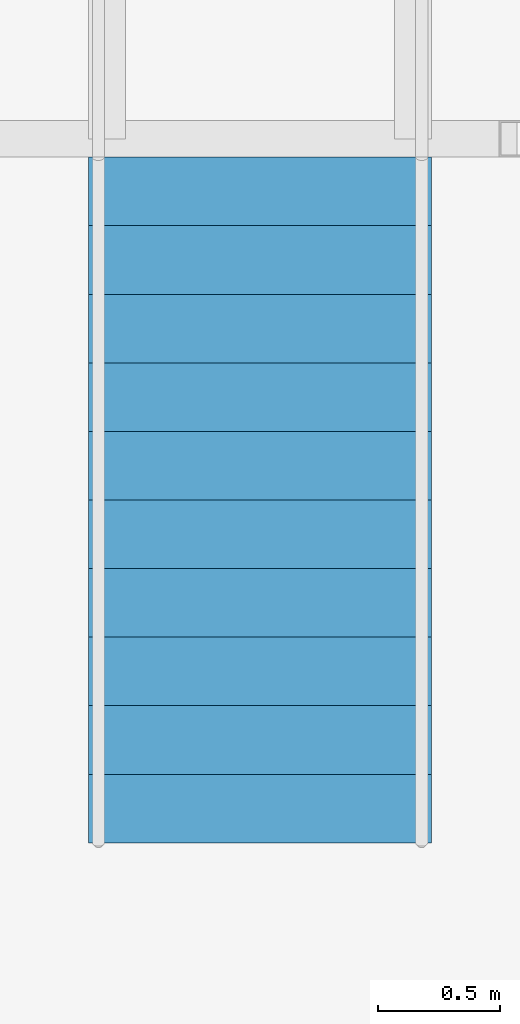
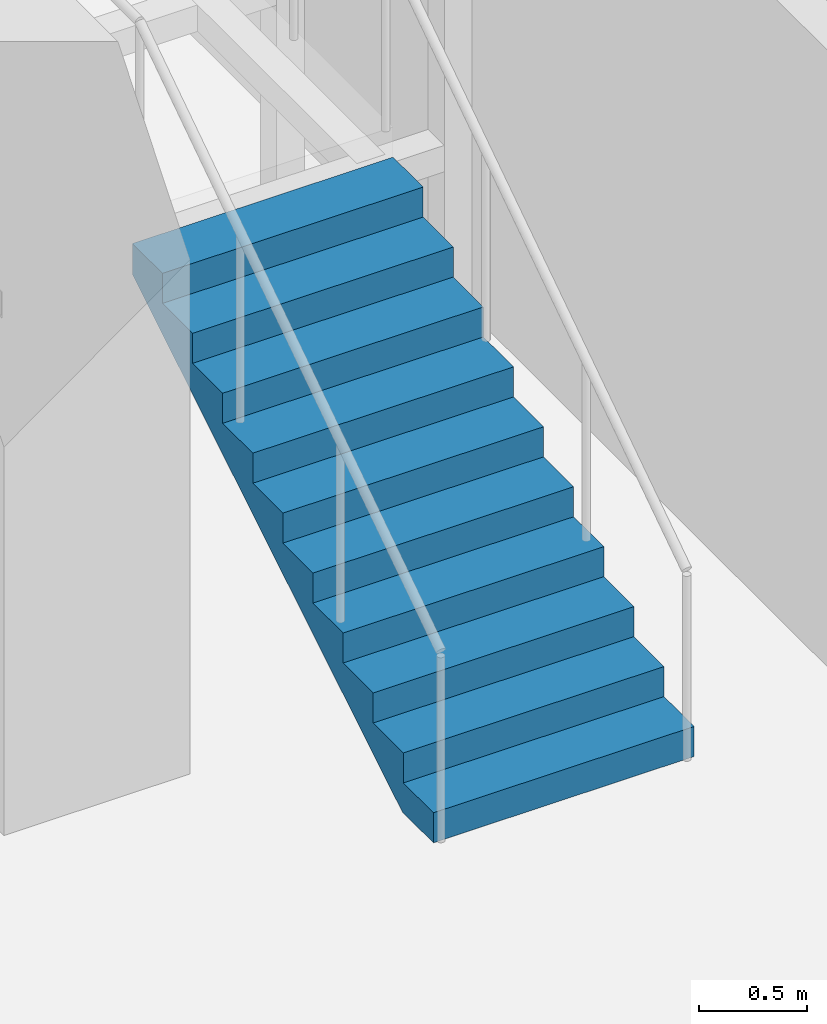
# One storey, part 24 of 28: 1 stair flight, 1 element without a shape of its own.
"""IFC4 building model written with IfcOpenShell, lengths in metres."""

from ifc_helpers import new_model, si_unit, direction, frame, origin, place, context, subcontext, project, spatial, triangles, material, type_object, element, aggregate, save


model = new_model("IFC4")

# Units and contexts
model_context = context("Model", 3, precision=1e-05, world=origin(), true_north=direction((0.0, 1.0)))
body_context = subcontext(model_context, "Body", "Model", "MODEL_VIEW")
ifc_project = project(units=[si_unit("LENGTHUNIT", "METRE"), si_unit("AREAUNIT", "SQUARE_METRE"), si_unit("VOLUMEUNIT", "CUBIC_METRE"), si_unit("PLANEANGLEUNIT", "RADIAN"), si_unit("MASSUNIT", "GRAM", prefix="KILO")], contexts=[model_context])

# Site, building, storey
site_placement = place(None, origin())
site = spatial("IfcSite", under=ifc_project, at=site_placement, CompositionType="ELEMENT")
building_placement = place(site_placement, origin())
building = spatial("IfcBuilding", under=site, at=building_placement, Name="Orbita Commons", CompositionType="ELEMENT")
storey_placement = place(building_placement, frame((0.0, 0.0, 216.550048828125)))
storey = spatial("IfcBuildingStorey", under=building, at=storey_placement, Name="L53", CompositionType="ELEMENT", Elevation=216.550048828125)

# Stair, stair flight
ifc_material_1 = material(Name="Steel ASTM A992 stringers, precast concrete C40/50 terrazzo treads", Category="concrete")
stair_type = type_object("IfcStairType", Name="Feature stair 22 risers 170 x 280 x 1400", PredefinedType="STRAIGHT_RUN_STAIR", material=ifc_material_1)
stair_placement = place(storey_placement, origin())
stair = element("IfcStair", 1, at=stair_placement, inside=storey, type_object=stair_type, Name="Neighbourhood stair L53 to L54", PredefinedType="STRAIGHT_RUN_STAIR")
ifc_material_2 = material(Name="Steel ASTM A992 stringers, precast concrete C40/50 terrazzo treads", Category="concrete")
stair_flight_type = type_object("IfcStairFlightType", Name="Feature stair flight 11 risers 170 x 1400", PredefinedType="STRAIGHT", material=ifc_material_2)
stair_flight_placement = place(storey_placement, frame((13.89990234375, 34.64990234375, 0.0), z_axis=(0.0, 0.0, 1.0), x_axis=(0.0, 1.0, 0.0)))
stair_flight = element("IfcStairFlight", 2, at=stair_flight_placement, type_object=stair_flight_type, Name="FS flight 1", NumberOfRisers=11, NumberOfTreads=10, PredefinedType="STRAIGHT", RiserHeight=0.170454545, TreadLength=0.28, context=body_context, shape_type="Tessellation", body=[
    triangles([(0.0, 0.699951, 0.0), (0.0, 0.699951, 0.021307), (0.0, 0.583293, 0.021307), (0.0, 0.583293, 0.0), (0.0, 0.466634, 0.021307), (0.0, 0.466634, 0.0), (0.0, 0.349976, 0.021307), (0.0, 0.349976, 0.0), (0.0, 0.233317, 0.021307), (0.0, 0.233317, 0.0), (0.0, 0.116659, 0.021307), (0.0, 0.116659, 0.0), (0.0, 0.0, 0.021307), (0.0, 0.0, 0.0), (0.0, -0.116659, 0.021307), (0.0, -0.116659, 0.0), (0.0, -0.233317, 0.021307), (0.0, -0.233317, 0.0), (0.0, -0.349976, 0.021307), (0.0, -0.349976, 0.0), (0.0, -0.466634, 0.021307), (0.0, -0.466634, 0.0), (0.0, -0.583293, 0.021307), (0.0, -0.583293, 0.0), (0.0, -0.699951, 0.021307), (0.0, -0.699951, 0.0), (0.0, 0.699951, 0.042614), (0.0, 0.583293, 0.042614), (0.0, 0.466634, 0.042614), (0.0, 0.349976, 0.042614), (0.0, 0.233317, 0.042614), (0.0, 0.116659, 0.042614), (0.0, 0.0, 0.042614), (0.0, -0.116659, 0.042614), (0.0, -0.233317, 0.042614), (0.0, -0.349976, 0.042614), (0.0, -0.466634, 0.042614), (0.0, -0.583293, 0.042614), (0.0, -0.699951, 0.042614), (0.0, 0.699951, 0.06392), (0.0, 0.583293, 0.06392), (0.0, 0.466634, 0.06392), (0.0, 0.349976, 0.06392), (0.0, 0.233317, 0.06392), (0.0, 0.116659, 0.06392), (0.0, 0.0, 0.06392), (0.0, -0.116659, 0.06392), (0.0, -0.233317, 0.06392), (0.0, -0.349976, 0.06392), (0.0, -0.466634, 0.06392), (0.0, -0.583293, 0.06392), (0.0, -0.699951, 0.06392), (0.0, 0.699951, 0.085227), (0.0, 0.583293, 0.085227), (0.0, 0.466634, 0.085227), (0.0, 0.349976, 0.085227), (0.0, 0.233317, 0.085227), (0.0, 0.116659, 0.085227), (0.0, 0.0, 0.085227), (0.0, -0.116659, 0.085227), (0.0, -0.233317, 0.085227), (0.0, -0.349976, 0.085227), (0.0, -0.466634, 0.085227), (0.0, -0.583293, 0.085227), (0.0, -0.699951, 0.085227), (0.0, 0.699951, 0.106534), (0.0, 0.583293, 0.106534), (0.0, 0.466634, 0.106534), (0.0, 0.349976, 0.106534), (0.0, 0.233317, 0.106534), (0.0, 0.116659, 0.106534), (0.0, 0.0, 0.106534), (0.0, -0.116659, 0.106534), (0.0, -0.233317, 0.106534), (0.0, -0.349976, 0.106534), (0.0, -0.466634, 0.106534), (0.0, -0.583293, 0.106534), (0.0, -0.699951, 0.106534), (0.0, 0.699951, 0.127841), (0.0, 0.583293, 0.127841), (0.0, 0.466634, 0.127841), (0.0, 0.349976, 0.127841), (0.0, 0.233317, 0.127841), (0.0, 0.116659, 0.127841), (0.0, 0.0, 0.127841), (0.0, -0.116659, 0.127841), (0.0, -0.233317, 0.127841), (0.0, -0.349976, 0.127841), (0.0, -0.466634, 0.127841), (0.0, -0.583293, 0.127841), (0.0, -0.699951, 0.127841), (0.0, 0.699951, 0.149148), (0.0, 0.583293, 0.149148), (0.0, 0.466634, 0.149148), (0.0, 0.349976, 0.149148), (0.0, 0.233317, 0.149148), (0.0, 0.116659, 0.149148), (0.0, 0.0, 0.149148), (0.0, -0.116659, 0.149148), (0.0, -0.233317, 0.149148), (0.0, -0.349976, 0.149148), (0.0, -0.466634, 0.149148), (0.0, -0.583293, 0.149148), (0.0, -0.699951, 0.149148), (0.0, 0.699951, 0.170455), (0.0, 0.583293, 0.170455), (0.0, 0.466634, 0.170455), (0.0, 0.349976, 0.170455), (0.0, 0.233317, 0.170455), (0.0, 0.116659, 0.170455), (0.0, 0.0, 0.170455), (0.0, -0.116659, 0.170455), (0.0, -0.233317, 0.170455), (0.0, -0.349976, 0.170455), (0.0, -0.466634, 0.170455), (0.0, -0.583293, 0.170455), (0.0, -0.699951, 0.170455), (0.28, 0.699951, 0.170455), (0.28, 0.583293, 0.170455), (0.28, 0.466634, 0.170455), (0.28, 0.349976, 0.170455), (0.28, 0.233317, 0.170455), (0.28, 0.116659, 0.170455), (0.28, 0.0, 0.170455), (0.28, -0.116659, 0.170455), (0.28, -0.233317, 0.170455), (0.28, -0.349976, 0.170455), (0.28, -0.466634, 0.170455), (0.28, -0.583293, 0.170455), (0.28, -0.699951, 0.170455), (0.28, 0.699951, 0.340909), (0.28, 0.583293, 0.340909), (0.28, 0.466634, 0.340909), (0.28, 0.349976, 0.340909), (0.28, 0.233317, 0.340909), (0.28, 0.116659, 0.340909), (0.28, 0.0, 0.340909), (0.28, -0.116659, 0.340909), (0.28, -0.233317, 0.340909), (0.28, -0.349976, 0.340909), (0.28, -0.466634, 0.340909), (0.28, -0.583293, 0.340909), (0.28, -0.699951, 0.340909), (0.56, 0.699951, 0.340909), (0.56, 0.583293, 0.340909), (0.56, 0.466634, 0.340909), (0.56, 0.349976, 0.340909), (0.56, 0.233317, 0.340909), (0.56, 0.116659, 0.340909), (0.56, 0.0, 0.340909), (0.56, -0.116659, 0.340909), (0.56, -0.233317, 0.340909), (0.56, -0.349976, 0.340909), (0.56, -0.466634, 0.340909), (0.56, -0.583293, 0.340909), (0.56, -0.699951, 0.340909), (0.56, 0.699951, 0.511364), (0.56, 0.583293, 0.511364), (0.56, 0.466634, 0.511364), (0.56, 0.349976, 0.511364), (0.56, 0.233317, 0.511364), (0.56, 0.116659, 0.511364), (0.56, 0.0, 0.511364), (0.56, -0.116659, 0.511364), (0.56, -0.233317, 0.511364), (0.56, -0.349976, 0.511364), (0.56, -0.466634, 0.511364), (0.56, -0.583293, 0.511364), (0.56, -0.699951, 0.511364), (0.84, 0.699951, 0.511364), (0.84, 0.583293, 0.511364), (0.84, 0.466634, 0.511364), (0.84, 0.349976, 0.511364), (0.84, 0.233317, 0.511364), (0.84, 0.116659, 0.511364), (0.84, 0.0, 0.511364), (0.84, -0.116659, 0.511364), (0.84, -0.233317, 0.511364), (0.84, -0.349976, 0.511364), (0.84, -0.466634, 0.511364), (0.84, -0.583293, 0.511364), (0.84, -0.699951, 0.511364), (0.84, 0.699951, 0.681818), (0.84, 0.583293, 0.681818), (0.84, 0.466634, 0.681818), (0.84, 0.349976, 0.681818), (0.84, 0.233317, 0.681818), (0.84, 0.116659, 0.681818), (0.84, 0.0, 0.681818), (0.84, -0.116659, 0.681818), (0.84, -0.233317, 0.681818), (0.84, -0.349976, 0.681818), (0.84, -0.466634, 0.681818), (0.84, -0.583293, 0.681818), (0.84, -0.699951, 0.681818), (1.12, 0.699951, 0.681818), (1.12, 0.583293, 0.681818), (1.12, 0.466634, 0.681818), (1.12, 0.349976, 0.681818), (1.12, 0.233317, 0.681818), (1.12, 0.116659, 0.681818), (1.12, 0.0, 0.681818), (1.12, -0.116659, 0.681818), (1.12, -0.233317, 0.681818), (1.12, -0.349976, 0.681818), (1.12, -0.466634, 0.681818), (1.12, -0.583293, 0.681818), (1.12, -0.699951, 0.681818), (1.12, 0.699951, 0.852273), (1.12, 0.583293, 0.852273), (1.12, 0.466634, 0.852273), (1.12, 0.349976, 0.852273), (1.12, 0.233317, 0.852273), (1.12, 0.116659, 0.852273), (1.12, 0.0, 0.852273), (1.12, -0.116659, 0.852273), (1.12, -0.233317, 0.852273), (1.12, -0.349976, 0.852273), (1.12, -0.466634, 0.852273), (1.12, -0.583293, 0.852273), (1.12, -0.699951, 0.852273), (1.4, 0.699951, 0.852273), (1.4, 0.583293, 0.852273), (1.4, 0.466634, 0.852273), (1.4, 0.349976, 0.852273), (1.4, 0.233317, 0.852273), (1.4, 0.116659, 0.852273), (1.4, 0.0, 0.852273), (1.4, -0.116659, 0.852273), (1.4, -0.233317, 0.852273), (1.4, -0.349976, 0.852273), (1.4, -0.466634, 0.852273), (1.4, -0.583293, 0.852273), (1.4, -0.699951, 0.852273), (1.4, 0.699951, 1.022727), (1.4, 0.583293, 1.022727), (1.4, 0.466634, 1.022727), (1.4, 0.349976, 1.022727), (1.4, 0.233317, 1.022727), (1.4, 0.116659, 1.022727), (1.4, 0.0, 1.022727), (1.4, -0.116659, 1.022727), (1.4, -0.233317, 1.022727), (1.4, -0.349976, 1.022727), (1.4, -0.466634, 1.022727), (1.4, -0.583293, 1.022727), (1.4, -0.699951, 1.022727), (1.68, 0.699951, 1.022727), (1.68, 0.583293, 1.022727), (1.68, 0.466634, 1.022727), (1.68, 0.349976, 1.022727), (1.68, 0.233317, 1.022727), (1.68, 0.116659, 1.022727), (1.68, 0.0, 1.022727), (1.68, -0.116659, 1.022727), (1.68, -0.233317, 1.022727), (1.68, -0.349976, 1.022727), (1.68, -0.466634, 1.022727), (1.68, -0.583293, 1.022727), (1.68, -0.699951, 1.022727), (1.68, 0.699951, 1.193182), (1.68, 0.583293, 1.193182), (1.68, 0.466634, 1.193182), (1.68, 0.349976, 1.193182), (1.68, 0.233317, 1.193182), (1.68, 0.116659, 1.193182), (1.68, 0.0, 1.193182), (1.68, -0.116659, 1.193182), (1.68, -0.233317, 1.193182), (1.68, -0.349976, 1.193182), (1.68, -0.466634, 1.193182), (1.68, -0.583293, 1.193182), (1.68, -0.699951, 1.193182), (1.96, 0.699951, 1.193182), (1.96, 0.583293, 1.193182), (1.96, 0.466634, 1.193182), (1.96, 0.349976, 1.193182), (1.96, 0.233317, 1.193182), (1.96, 0.116659, 1.193182), (1.96, 0.0, 1.193182), (1.96, -0.116659, 1.193182), (1.96, -0.233317, 1.193182), (1.96, -0.349976, 1.193182), (1.96, -0.466634, 1.193182), (1.96, -0.583293, 1.193182), (1.96, -0.699951, 1.193182), (1.96, 0.699951, 1.363636), (1.96, 0.583293, 1.363636), (1.96, 0.466634, 1.363636), (1.96, 0.349976, 1.363636), (1.96, 0.233317, 1.363636), (1.96, 0.116659, 1.363636), (1.96, 0.0, 1.363636), (1.96, -0.116659, 1.363636), (1.96, -0.233317, 1.363636), (1.96, -0.349976, 1.363636), (1.96, -0.466634, 1.363636), (1.96, -0.583293, 1.363636), (1.96, -0.699951, 1.363636), (2.24, 0.699951, 1.363636), (2.24, 0.583293, 1.363636), (2.24, 0.466634, 1.363636), (2.24, 0.349976, 1.363636), (2.24, 0.233317, 1.363636), (2.24, 0.116659, 1.363636), (2.24, 0.0, 1.363636), (2.24, -0.116659, 1.363636), (2.24, -0.233317, 1.363636), (2.24, -0.349976, 1.363636), (2.24, -0.466634, 1.363636), (2.24, -0.583293, 1.363636), (2.24, -0.699951, 1.363636), (2.24, 0.699951, 1.534091), (2.24, 0.583293, 1.534091), (2.24, 0.466634, 1.534091), (2.24, 0.349976, 1.534091), (2.24, 0.233317, 1.534091), (2.24, 0.116659, 1.534091), (2.24, 0.0, 1.534091), (2.24, -0.116659, 1.534091), (2.24, -0.233317, 1.534091), (2.24, -0.349976, 1.534091), (2.24, -0.466634, 1.534091), (2.24, -0.583293, 1.534091), (2.24, -0.699951, 1.534091), (2.52, 0.699951, 1.534091), (2.52, 0.583293, 1.534091), (2.52, 0.466634, 1.534091), (2.52, 0.349976, 1.534091), (2.52, 0.233317, 1.534091), (2.52, 0.116659, 1.534091), (2.52, 0.0, 1.534091), (2.52, -0.116659, 1.534091), (2.52, -0.233317, 1.534091), (2.52, -0.349976, 1.534091), (2.52, -0.466634, 1.534091), (2.52, -0.583293, 1.534091), (2.52, -0.699951, 1.534091), (2.52, 0.699951, 1.704545), (2.52, 0.583293, 1.704545), (2.52, 0.466634, 1.704545), (2.52, 0.349976, 1.704545), (2.52, 0.233317, 1.704545), (2.52, 0.116659, 1.704545), (2.52, 0.0, 1.704545), (2.52, -0.116659, 1.704545), (2.52, -0.233317, 1.704545), (2.52, -0.349976, 1.704545), (2.52, -0.466634, 1.704545), (2.52, -0.583293, 1.704545), (2.52, -0.699951, 1.704545), (2.8, 0.699951, 1.704545), (2.8, 0.583293, 1.704545), (2.8, 0.466634, 1.704545), (2.8, 0.349976, 1.704545), (2.8, 0.233317, 1.704545), (2.8, 0.116659, 1.704545), (2.8, 0.0, 1.704545), (2.8, -0.116659, 1.704545), (2.8, -0.233317, 1.704545), (2.8, -0.349976, 1.704545), (2.8, -0.466634, 1.704545), (2.8, -0.583293, 1.704545), (2.8, -0.699951, 1.704545), (2.8, 0.699951, 1.682609), (2.8, 0.583293, 1.682609), (2.8, 0.466634, 1.682609), (2.8, 0.349976, 1.682609), (2.8, 0.233317, 1.682609), (2.8, 0.116659, 1.682609), (2.8, 0.0, 1.682609), (2.8, -0.116659, 1.682609), (2.8, -0.233317, 1.682609), (2.8, -0.349976, 1.682609), (2.8, -0.466634, 1.682609), (2.8, -0.583293, 1.682609), (2.8, -0.699951, 1.682609), (2.8, 0.699951, 1.660672), (2.8, 0.583293, 1.660672), (2.8, 0.466634, 1.660672), (2.8, 0.349976, 1.660672), (2.8, 0.233317, 1.660672), (2.8, 0.116659, 1.660672), (2.8, 0.0, 1.660672), (2.8, -0.116659, 1.660672), (2.8, -0.233317, 1.660672), (2.8, -0.349976, 1.660672), (2.8, -0.466634, 1.660672), (2.8, -0.583293, 1.660672), (2.8, -0.699951, 1.660672), (2.8, 0.699951, 1.638735), (2.8, 0.583293, 1.638735), (2.8, 0.466634, 1.638735), (2.8, 0.349976, 1.638735), (2.8, 0.233317, 1.638735), (2.8, 0.116659, 1.638735), (2.8, 0.0, 1.638735), (2.8, -0.116659, 1.638735), (2.8, -0.233317, 1.638735), (2.8, -0.349976, 1.638735), (2.8, -0.466634, 1.638735), (2.8, -0.583293, 1.638735), (2.8, -0.699951, 1.638735), (2.8, 0.699951, 1.616798), (2.8, 0.583293, 1.616798), (2.8, 0.466634, 1.616798), (2.8, 0.349976, 1.616798), (2.8, 0.233317, 1.616798), (2.8, 0.116659, 1.616798), (2.8, 0.0, 1.616798), (2.8, -0.116659, 1.616798), (2.8, -0.233317, 1.616798), (2.8, -0.349976, 1.616798), (2.8, -0.466634, 1.616798), (2.8, -0.583293, 1.616798), (2.8, -0.699951, 1.616798), (2.8, 0.699951, 1.594861), (2.8, 0.583293, 1.594861), (2.8, 0.466634, 1.594861), (2.8, 0.349976, 1.594861), (2.8, 0.233317, 1.594861), (2.8, 0.116659, 1.594861), (2.8, 0.0, 1.594861), (2.8, -0.116659, 1.594861), (2.8, -0.233317, 1.594861), (2.8, -0.349976, 1.594861), (2.8, -0.466634, 1.594861), (2.8, -0.583293, 1.594861), (2.8, -0.699951, 1.594861), (2.8, 0.699951, 1.572925), (2.8, 0.583293, 1.572925), (2.8, 0.466634, 1.572925), (2.8, 0.349976, 1.572925), (2.8, 0.233317, 1.572925), (2.8, 0.116659, 1.572925), (2.8, 0.0, 1.572925), (2.8, -0.116659, 1.572925), (2.8, -0.233317, 1.572925), (2.8, -0.349976, 1.572925), (2.8, -0.466634, 1.572925), (2.8, -0.583293, 1.572925), (2.8, -0.699951, 1.572925), (2.8, 0.699951, 1.550988), (2.8, 0.583293, 1.550988), (2.8, 0.466634, 1.550988), (2.8, 0.349976, 1.550988), (2.8, 0.233317, 1.550988), (2.8, 0.116659, 1.550988), (2.8, 0.0, 1.550988), (2.8, -0.116659, 1.550988), (2.8, -0.233317, 1.550988), (2.8, -0.349976, 1.550988), (2.8, -0.466634, 1.550988), (2.8, -0.583293, 1.550988), (2.8, -0.699951, 1.550988), (2.8, 0.699951, 1.529051), (2.8, 0.583293, 1.529051), (2.8, 0.466634, 1.529051), (2.8, 0.349976, 1.529051), (2.8, 0.233317, 1.529051), (2.8, 0.116659, 1.529051), (2.8, 0.0, 1.529051), (2.8, -0.116659, 1.529051), (2.8, -0.233317, 1.529051), (2.8, -0.349976, 1.529051), (2.8, -0.466634, 1.529051), (2.8, -0.583293, 1.529051), (2.8, -0.699951, 1.529051), (0.288279, 0.699951, 0.0), (0.288279, 0.583293, 0.0), (0.288279, 0.466634, 0.0), (0.288279, 0.349976, 0.0), (0.288279, 0.233317, 0.0), (0.288279, 0.116659, 0.0), (0.288279, 0.0, 0.0), (0.288279, -0.116659, 0.0), (0.288279, -0.233317, 0.0), (0.288279, -0.349976, 0.0), (0.288279, -0.466634, 0.0), (0.288279, -0.583293, 0.0), (0.288279, -0.699951, 0.0)], [[3, 2, 1], [4, 3, 1], [5, 3, 4], [6, 5, 4], [7, 5, 6], [8, 7, 6], [9, 7, 8], [10, 9, 8], [11, 9, 10], [12, 11, 10], [13, 11, 12], [14, 13, 12], [15, 13, 14], [16, 15, 14], [17, 15, 16], [18, 17, 16], [19, 17, 18], [20, 19, 18], [21, 19, 20], [22, 21, 20], [23, 21, 22], [24, 23, 22], [25, 23, 24], [26, 25, 24], [28, 27, 2], [3, 28, 2], [29, 28, 3], [5, 29, 3], [30, 29, 5], [7, 30, 5], [31, 30, 7], [9, 31, 7], [32, 31, 9], [11, 32, 9], [33, 32, 11], [13, 33, 11], [34, 33, 13], [15, 34, 13], [35, 34, 15], [17, 35, 15], [36, 35, 17], [19, 36, 17], [37, 36, 19], [21, 37, 19], [38, 37, 21], [23, 38, 21], [39, 38, 23], [25, 39, 23], [41, 40, 27], [28, 41, 27], [42, 41, 28], [29, 42, 28], [43, 42, 29], [30, 43, 29], [44, 43, 30], [31, 44, 30], [45, 44, 31], [32, 45, 31], [46, 45, 32], [33, 46, 32], [47, 46, 33], [34, 47, 33], [48, 47, 34], [35, 48, 34], [49, 48, 35], [36, 49, 35], [50, 49, 36], [37, 50, 36], [51, 50, 37], [38, 51, 37], [52, 51, 38], [39, 52, 38], [54, 53, 40], [41, 54, 40], [55, 54, 41], [42, 55, 41], [56, 55, 42], [43, 56, 42], [57, 56, 43], [44, 57, 43], [58, 57, 44], [45, 58, 44], [59, 58, 45], [46, 59, 45], [60, 59, 46], [47, 60, 46], [61, 60, 47], [48, 61, 47], [62, 61, 48], [49, 62, 48], [63, 62, 49], [50, 63, 49], [64, 63, 50], [51, 64, 50], [65, 64, 51], [52, 65, 51], [67, 66, 53], [54, 67, 53], [68, 67, 54], [55, 68, 54], [69, 68, 55], [56, 69, 55], [70, 69, 56], [57, 70, 56], [71, 70, 57], [58, 71, 57], [72, 71, 58], [59, 72, 58], [73, 72, 59], [60, 73, 59], [74, 73, 60], [61, 74, 60], [75, 74, 61], [62, 75, 61], [76, 75, 62], [63, 76, 62], [77, 76, 63], [64, 77, 63], [78, 77, 64], [65, 78, 64], [80, 79, 66], [67, 80, 66], [81, 80, 67], [68, 81, 67], [82, 81, 68], [69, 82, 68], [83, 82, 69], [70, 83, 69], [84, 83, 70], [71, 84, 70], [85, 84, 71], [72, 85, 71], [86, 85, 72], [73, 86, 72], [87, 86, 73], [74, 87, 73], [88, 87, 74], [75, 88, 74], [89, 88, 75], [76, 89, 75], [90, 89, 76], [77, 90, 76], [91, 90, 77], [78, 91, 77], [93, 92, 79], [80, 93, 79], [94, 93, 80], [81, 94, 80], [95, 94, 81], [82, 95, 81], [96, 95, 82], [83, 96, 82], [97, 96, 83], [84, 97, 83], [98, 97, 84], [85, 98, 84], [99, 98, 85], [86, 99, 85], [100, 99, 86], [87, 100, 86], [101, 100, 87], [88, 101, 87], [102, 101, 88], [89, 102, 88], [103, 102, 89], [90, 103, 89], [104, 103, 90], [91, 104, 90], [106, 105, 92], [93, 106, 92], [107, 106, 93], [94, 107, 93], [108, 107, 94], [95, 108, 94], [109, 108, 95], [96, 109, 95], [110, 109, 96], [97, 110, 96], [111, 110, 97], [98, 111, 97], [112, 111, 98], [99, 112, 98], [113, 112, 99], [100, 113, 99], [114, 113, 100], [101, 114, 100], [115, 114, 101], [102, 115, 101], [116, 115, 102], [103, 116, 102], [117, 116, 103], [104, 117, 103], [119, 118, 105], [106, 119, 105], [120, 119, 106], [107, 120, 106], [121, 120, 107], [108, 121, 107], [122, 121, 108], [109, 122, 108], [123, 122, 109], [110, 123, 109], [124, 123, 110], [111, 124, 110], [125, 124, 111], [112, 125, 111], [126, 125, 112], [113, 126, 112], [127, 126, 113], [114, 127, 113], [128, 127, 114], [115, 128, 114], [129, 128, 115], [116, 129, 115], [130, 129, 116], [117, 130, 116], [132, 131, 118], [119, 132, 118], [133, 132, 119], [120, 133, 119], [134, 133, 120], [121, 134, 120], [135, 134, 121], [122, 135, 121], [136, 135, 122], [123, 136, 122], [137, 136, 123], [124, 137, 123], [138, 137, 124], [125, 138, 124], [139, 138, 125], [126, 139, 125], [140, 139, 126], [127, 140, 126], [141, 140, 127], [128, 141, 127], [142, 141, 128], [129, 142, 128], [143, 142, 129], [130, 143, 129], [145, 144, 131], [132, 145, 131], [146, 145, 132], [133, 146, 132], [147, 146, 133], [134, 147, 133], [148, 147, 134], [135, 148, 134], [149, 148, 135], [136, 149, 135], [150, 149, 136], [137, 150, 136], [151, 150, 137], [138, 151, 137], [152, 151, 138], [139, 152, 138], [153, 152, 139], [140, 153, 139], [154, 153, 140], [141, 154, 140], [155, 154, 141], [142, 155, 141], [156, 155, 142], [143, 156, 142], [158, 157, 144], [145, 158, 144], [159, 158, 145], [146, 159, 145], [160, 159, 146], [147, 160, 146], [161, 160, 147], [148, 161, 147], [162, 161, 148], [149, 162, 148], [163, 162, 149], [150, 163, 149], [164, 163, 150], [151, 164, 150], [165, 164, 151], [152, 165, 151], [166, 165, 152], [153, 166, 152], [167, 166, 153], [154, 167, 153], [168, 167, 154], [155, 168, 154], [169, 168, 155], [156, 169, 155], [171, 170, 157], [158, 171, 157], [172, 171, 158], [159, 172, 158], [173, 172, 159], [160, 173, 159], [174, 173, 160], [161, 174, 160], [175, 174, 161], [162, 175, 161], [176, 175, 162], [163, 176, 162], [177, 176, 163], [164, 177, 163], [178, 177, 164], [165, 178, 164], [179, 178, 165], [166, 179, 165], [180, 179, 166], [167, 180, 166], [181, 180, 167], [168, 181, 167], [182, 181, 168], [169, 182, 168], [184, 183, 170], [171, 184, 170], [185, 184, 171], [172, 185, 171], [186, 185, 172], [173, 186, 172], [187, 186, 173], [174, 187, 173], [188, 187, 174], [175, 188, 174], [189, 188, 175], [176, 189, 175], [190, 189, 176], [177, 190, 176], [191, 190, 177], [178, 191, 177], [192, 191, 178], [179, 192, 178], [193, 192, 179], [180, 193, 179], [194, 193, 180], [181, 194, 180], [195, 194, 181], [182, 195, 181], [197, 196, 183], [184, 197, 183], [198, 197, 184], [185, 198, 184], [199, 198, 185], [186, 199, 185], [200, 199, 186], [187, 200, 186], [201, 200, 187], [188, 201, 187], [202, 201, 188], [189, 202, 188], [203, 202, 189], [190, 203, 189], [204, 203, 190], [191, 204, 190], [205, 204, 191], [192, 205, 191], [206, 205, 192], [193, 206, 192], [207, 206, 193], [194, 207, 193], [208, 207, 194], [195, 208, 194], [210, 209, 196], [197, 210, 196], [211, 210, 197], [198, 211, 197], [212, 211, 198], [199, 212, 198], [213, 212, 199], [200, 213, 199], [214, 213, 200], [201, 214, 200], [215, 214, 201], [202, 215, 201], [216, 215, 202], [203, 216, 202], [217, 216, 203], [204, 217, 203], [218, 217, 204], [205, 218, 204], [219, 218, 205], [206, 219, 205], [220, 219, 206], [207, 220, 206], [221, 220, 207], [208, 221, 207], [223, 222, 209], [210, 223, 209], [224, 223, 210], [211, 224, 210], [225, 224, 211], [212, 225, 211], [226, 225, 212], [213, 226, 212], [227, 226, 213], [214, 227, 213], [228, 227, 214], [215, 228, 214], [229, 228, 215], [216, 229, 215], [230, 229, 216], [217, 230, 216], [231, 230, 217], [218, 231, 217], [232, 231, 218], [219, 232, 218], [233, 232, 219], [220, 233, 219], [234, 233, 220], [221, 234, 220], [236, 235, 222], [223, 236, 222], [237, 236, 223], [224, 237, 223], [238, 237, 224], [225, 238, 224], [239, 238, 225], [226, 239, 225], [240, 239, 226], [227, 240, 226], [241, 240, 227], [228, 241, 227], [242, 241, 228], [229, 242, 228], [243, 242, 229], [230, 243, 229], [244, 243, 230], [231, 244, 230], [245, 244, 231], [232, 245, 231], [246, 245, 232], [233, 246, 232], [247, 246, 233], [234, 247, 233], [249, 248, 235], [236, 249, 235], [250, 249, 236], [237, 250, 236], [251, 250, 237], [238, 251, 237], [252, 251, 238], [239, 252, 238], [253, 252, 239], [240, 253, 239], [254, 253, 240], [241, 254, 240], [255, 254, 241], [242, 255, 241], [256, 255, 242], [243, 256, 242], [257, 256, 243], [244, 257, 243], [258, 257, 244], [245, 258, 244], [259, 258, 245], [246, 259, 245], [260, 259, 246], [247, 260, 246], [262, 261, 248], [249, 262, 248], [263, 262, 249], [250, 263, 249], [264, 263, 250], [251, 264, 250], [265, 264, 251], [252, 265, 251], [266, 265, 252], [253, 266, 252], [267, 266, 253], [254, 267, 253], [268, 267, 254], [255, 268, 254], [269, 268, 255], [256, 269, 255], [270, 269, 256], [257, 270, 256], [271, 270, 257], [258, 271, 257], [272, 271, 258], [259, 272, 258], [273, 272, 259], [260, 273, 259], [275, 274, 261], [262, 275, 261], [276, 275, 262], [263, 276, 262], [277, 276, 263], [264, 277, 263], [278, 277, 264], [265, 278, 264], [279, 278, 265], [266, 279, 265], [280, 279, 266], [267, 280, 266], [281, 280, 267], [268, 281, 267], [282, 281, 268], [269, 282, 268], [283, 282, 269], [270, 283, 269], [284, 283, 270], [271, 284, 270], [285, 284, 271], [272, 285, 271], [286, 285, 272], [273, 286, 272], [288, 287, 274], [275, 288, 274], [289, 288, 275], [276, 289, 275], [290, 289, 276], [277, 290, 276], [291, 290, 277], [278, 291, 277], [292, 291, 278], [279, 292, 278], [293, 292, 279], [280, 293, 279], [294, 293, 280], [281, 294, 280], [295, 294, 281], [282, 295, 281], [296, 295, 282], [283, 296, 282], [297, 296, 283], [284, 297, 283], [298, 297, 284], [285, 298, 284], [299, 298, 285], [286, 299, 285], [301, 300, 287], [288, 301, 287], [302, 301, 288], [289, 302, 288], [303, 302, 289], [290, 303, 289], [304, 303, 290], [291, 304, 290], [305, 304, 291], [292, 305, 291], [306, 305, 292], [293, 306, 292], [307, 306, 293], [294, 307, 293], [308, 307, 294], [295, 308, 294], [309, 308, 295], [296, 309, 295], [310, 309, 296], [297, 310, 296], [311, 310, 297], [298, 311, 297], [312, 311, 298], [299, 312, 298], [314, 313, 300], [301, 314, 300], [315, 314, 301], [302, 315, 301], [316, 315, 302], [303, 316, 302], [317, 316, 303], [304, 317, 303], [318, 317, 304], [305, 318, 304], [319, 318, 305], [306, 319, 305], [320, 319, 306], [307, 320, 306], [321, 320, 307], [308, 321, 307], [322, 321, 308], [309, 322, 308], [323, 322, 309], [310, 323, 309], [324, 323, 310], [311, 324, 310], [325, 324, 311], [312, 325, 311], [327, 326, 313], [314, 327, 313], [328, 327, 314], [315, 328, 314], [329, 328, 315], [316, 329, 315], [330, 329, 316], [317, 330, 316], [331, 330, 317], [318, 331, 317], [332, 331, 318], [319, 332, 318], [333, 332, 319], [320, 333, 319], [334, 333, 320], [321, 334, 320], [335, 334, 321], [322, 335, 321], [336, 335, 322], [323, 336, 322], [337, 336, 323], [324, 337, 323], [338, 337, 324], [325, 338, 324], [340, 339, 326], [327, 340, 326], [341, 340, 327], [328, 341, 327], [342, 341, 328], [329, 342, 328], [343, 342, 329], [330, 343, 329], [344, 343, 330], [331, 344, 330], [345, 344, 331], [332, 345, 331], [346, 345, 332], [333, 346, 332], [347, 346, 333], [334, 347, 333], [348, 347, 334], [335, 348, 334], [349, 348, 335], [336, 349, 335], [350, 349, 336], [337, 350, 336], [351, 350, 337], [338, 351, 337], [353, 352, 339], [340, 353, 339], [354, 353, 340], [341, 354, 340], [355, 354, 341], [342, 355, 341], [356, 355, 342], [343, 356, 342], [357, 356, 343], [344, 357, 343], [358, 357, 344], [345, 358, 344], [359, 358, 345], [346, 359, 345], [360, 359, 346], [347, 360, 346], [361, 360, 347], [348, 361, 347], [362, 361, 348], [349, 362, 348], [363, 362, 349], [350, 363, 349], [364, 363, 350], [351, 364, 350], [366, 365, 352], [353, 366, 352], [367, 366, 353], [354, 367, 353], [368, 367, 354], [355, 368, 354], [369, 368, 355], [356, 369, 355], [370, 369, 356], [357, 370, 356], [371, 370, 357], [358, 371, 357], [372, 371, 358], [359, 372, 358], [373, 372, 359], [360, 373, 359], [374, 373, 360], [361, 374, 360], [375, 374, 361], [362, 375, 361], [376, 375, 362], [363, 376, 362], [377, 376, 363], [364, 377, 363], [379, 378, 365], [366, 379, 365], [380, 379, 366], [367, 380, 366], [381, 380, 367], [368, 381, 367], [382, 381, 368], [369, 382, 368], [383, 382, 369], [370, 383, 369], [384, 383, 370], [371, 384, 370], [385, 384, 371], [372, 385, 371], [386, 385, 372], [373, 386, 372], [387, 386, 373], [374, 387, 373], [388, 387, 374], [375, 388, 374], [389, 388, 375], [376, 389, 375], [390, 389, 376], [377, 390, 376], [392, 391, 378], [379, 392, 378], [393, 392, 379], [380, 393, 379], [394, 393, 380], [381, 394, 380], [395, 394, 381], [382, 395, 381], [396, 395, 382], [383, 396, 382], [397, 396, 383], [384, 397, 383], [398, 397, 384], [385, 398, 384], [399, 398, 385], [386, 399, 385], [400, 399, 386], [387, 400, 386], [401, 400, 387], [388, 401, 387], [402, 401, 388], [389, 402, 388], [403, 402, 389], [390, 403, 389], [405, 404, 391], [392, 405, 391], [406, 405, 392], [393, 406, 392], [407, 406, 393], [394, 407, 393], [408, 407, 394], [395, 408, 394], [409, 408, 395], [396, 409, 395], [410, 409, 396], [397, 410, 396], [411, 410, 397], [398, 411, 397], [412, 411, 398], [399, 412, 398], [413, 412, 399], [400, 413, 399], [414, 413, 400], [401, 414, 400], [415, 414, 401], [402, 415, 401], [416, 415, 402], [403, 416, 402], [418, 417, 404], [405, 418, 404], [419, 418, 405], [406, 419, 405], [420, 419, 406], [407, 420, 406], [421, 420, 407], [408, 421, 407], [422, 421, 408], [409, 422, 408], [423, 422, 409], [410, 423, 409], [424, 423, 410], [411, 424, 410], [425, 424, 411], [412, 425, 411], [426, 425, 412], [413, 426, 412], [427, 426, 413], [414, 427, 413], [428, 427, 414], [415, 428, 414], [429, 428, 415], [416, 429, 415], [431, 430, 417], [418, 431, 417], [432, 431, 418], [419, 432, 418], [433, 432, 419], [420, 433, 419], [434, 433, 420], [421, 434, 420], [435, 434, 421], [422, 435, 421], [436, 435, 422], [423, 436, 422], [437, 436, 423], [424, 437, 423], [438, 437, 424], [425, 438, 424], [439, 438, 425], [426, 439, 425], [440, 439, 426], [427, 440, 426], [441, 440, 427], [428, 441, 427], [442, 441, 428], [429, 442, 428], [444, 443, 430], [431, 444, 430], [445, 444, 431], [432, 445, 431], [446, 445, 432], [433, 446, 432], [447, 446, 433], [434, 447, 433], [448, 447, 434], [435, 448, 434], [449, 448, 435], [436, 449, 435], [450, 449, 436], [437, 450, 436], [451, 450, 437], [438, 451, 437], [452, 451, 438], [439, 452, 438], [453, 452, 439], [440, 453, 439], [454, 453, 440], [441, 454, 440], [455, 454, 441], [442, 455, 441], [457, 456, 443], [444, 457, 443], [458, 457, 444], [445, 458, 444], [459, 458, 445], [446, 459, 445], [460, 459, 446], [447, 460, 446], [461, 460, 447], [448, 461, 447], [462, 461, 448], [449, 462, 448], [463, 462, 449], [450, 463, 449], [464, 463, 450], [451, 464, 450], [465, 464, 451], [452, 465, 451], [466, 465, 452], [453, 466, 452], [467, 466, 453], [454, 467, 453], [468, 467, 454], [455, 468, 454], [470, 469, 456], [457, 470, 456], [471, 470, 457], [458, 471, 457], [472, 471, 458], [459, 472, 458], [473, 472, 459], [460, 473, 459], [474, 473, 460], [461, 474, 460], [475, 474, 461], [462, 475, 461], [476, 475, 462], [463, 476, 462], [477, 476, 463], [464, 477, 463], [478, 477, 464], [465, 478, 464], [479, 478, 465], [466, 479, 465], [480, 479, 466], [467, 480, 466], [481, 480, 467], [468, 481, 467], [4, 1, 469], [470, 4, 469], [6, 4, 470], [471, 6, 470], [8, 6, 471], [472, 8, 471], [10, 8, 472], [473, 10, 472], [12, 10, 473], [474, 12, 473], [14, 12, 474], [475, 14, 474], [16, 14, 475], [476, 16, 475], [18, 16, 476], [477, 18, 476], [20, 18, 477], [478, 20, 477], [22, 20, 478], [479, 22, 478], [24, 22, 479], [480, 24, 479], [26, 24, 480], [481, 26, 480], [456, 469, 1], [26, 481, 468], [443, 456, 1], [26, 468, 455], [430, 443, 1], [26, 455, 442], [417, 430, 1], [26, 442, 429], [404, 417, 1], [26, 429, 416], [391, 404, 1], [26, 416, 403], [378, 391, 1], [26, 403, 390], [365, 378, 1], [26, 390, 377], [339, 352, 365], [377, 364, 351], [326, 339, 365], [377, 351, 338], [300, 313, 326], [338, 325, 312], [300, 326, 365], [377, 338, 312], [274, 287, 300], [312, 299, 286], [274, 300, 365], [377, 312, 286], [248, 261, 274], [286, 273, 260], [248, 274, 365], [377, 286, 260], [222, 235, 248], [260, 247, 234], [222, 248, 365], [377, 260, 234], [196, 209, 222], [234, 221, 208], [196, 222, 365], [377, 234, 208], [170, 183, 196], [208, 195, 182], [170, 196, 365], [377, 208, 182], [144, 157, 170], [182, 169, 156], [144, 170, 365], [377, 182, 156], [118, 131, 144], [156, 143, 130], [118, 144, 365], [377, 156, 130], [118, 365, 1], [26, 377, 130], [92, 105, 118], [130, 117, 104], [79, 92, 118], [130, 104, 91], [66, 79, 118], [130, 91, 78], [53, 66, 118], [130, 78, 65], [40, 53, 118], [130, 65, 52], [27, 40, 118], [130, 52, 39], [2, 27, 118], [130, 39, 25], [1, 2, 118], [130, 25, 26]], closed=True),
])
aggregate(stair, [stair_flight])

save(model, "model.ifc")
